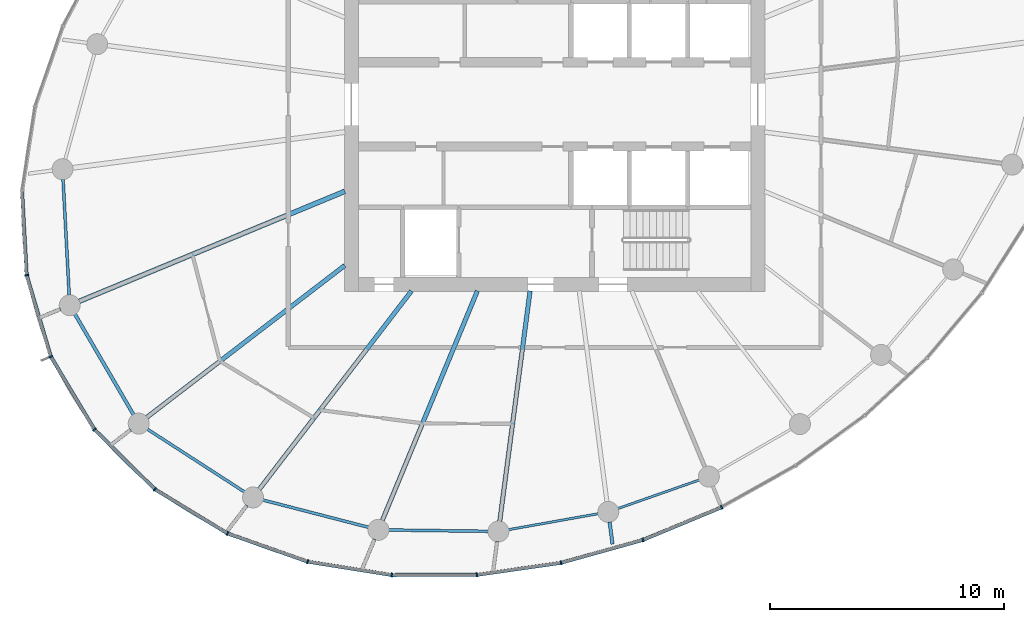
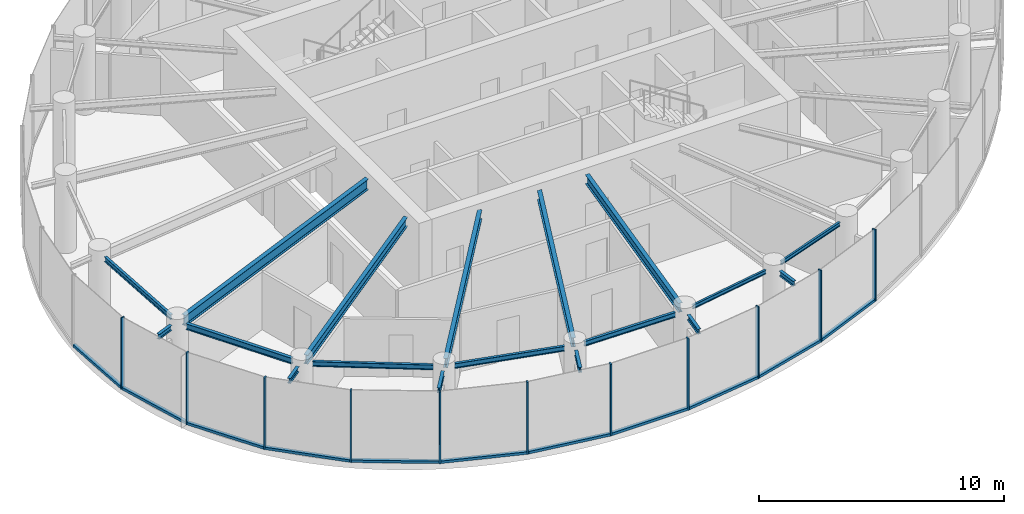
# One storey, part 2 of 14: 22 members, 18 beams, 3 elements without a shape of their own.
"""IFC4 building model written with IfcOpenShell, lengths in metres."""

from ifc_helpers import new_model, si_unit, direction, frame, origin, origin_2d, place, context, subcontext, project, spatial, rectangle, i_section, extrude, source, transform, mapped, material, layer, layer_set, material_profile, profile_set, type_object, element, aggregate, save


model = new_model("IFC4")

# Units and contexts
model_context = context("Model", 3, precision=1e-05, world=origin(), true_north=direction((0.0, 1.0)))
body_context = subcontext(model_context, "Body", "Model", "MODEL_VIEW")
ifc_project = project(units=[si_unit("LENGTHUNIT", "METRE"), si_unit("AREAUNIT", "SQUARE_METRE"), si_unit("VOLUMEUNIT", "CUBIC_METRE"), si_unit("PLANEANGLEUNIT", "RADIAN"), si_unit("MASSUNIT", "GRAM", prefix="KILO")], contexts=[model_context])

# Site, building, storey
site_placement = place(None, origin())
site = spatial("IfcSite", under=ifc_project, at=site_placement, CompositionType="ELEMENT")
building_placement = place(site_placement, origin())
building = spatial("IfcBuilding", under=site, at=building_placement, Name="Spindrift Exchange Tower", CompositionType="ELEMENT")
storey_placement = place(building_placement, frame((0.0, 0.0, 203.300048828125)))
storey = spatial("IfcBuildingStorey", under=building, at=storey_placement, Name="L49", CompositionType="ELEMENT", Elevation=203.300048828125)

# Beams
ifc_material_1 = material(Name="Steel Grade 300", Category="steel")
ifc_material_profile_1 = material_profile(ifc_material_1, i_section(OverallWidth=0.14599609375, OverallDepth=0.251953125, WebThickness=0.006103515625, FlangeThickness=0.008544921875, FilletRadius=0.011962890625, at=origin_2d()), Name="250UB31.4")
ifc_profile_set_1 = profile_set([ifc_material_profile_1], Name="Steel Grade 300")
beam_type_1 = type_object("IfcBeamType", Name="Cantilever Beam 250UB31.4 Steel Grade 300", PredefinedType="BEAM", material=ifc_profile_set_1)
shared_shape_1 = source(origin(), body_context, "Body", "SweptSolid", [
    extrude(i_section(OverallWidth=0.14599609375, OverallDepth=0.251953125, WebThickness=0.006103515625, FlangeThickness=0.008544921875, FilletRadius=0.011962890625, at=origin_2d()), origin(), (0.0, 0.0, 1.0), 0.95166015625),
])
beam_1_placement = place(storey_placement, frame((33.856689453125, 34.078125, 3.453857421875), z_axis=(-0.793300680677, -0.608830050209, 0.0), x_axis=(0.608830050209, -0.793300680677, 0.0)))
element("IfcBeam", 1, at=beam_1_placement, inside=storey, type_object=beam_type_1, Name="L49 cantilever beam R15T", PredefinedType="BEAM", context=body_context, shape_type="MappedRepresentation", body=[
    mapped(shared_shape_1, transform((0.0, 0.0, 0.0), scale=1.0)),
])
shared_shape_2 = source(origin(), body_context, "Body", "SweptSolid", [
    extrude(i_section(OverallWidth=0.14599609375, OverallDepth=0.251953125, WebThickness=0.006103515625, FlangeThickness=0.008544921875, FilletRadius=0.011962890625, at=origin_2d()), origin(), (0.0, 0.0, 1.0), 0.859619140625),
])
beam_2_placement = place(storey_placement, frame((30.849609375, 39.2392578125, 3.453857421875), z_axis=(-0.923923380362, -0.382577557131, 0.0), x_axis=(0.382577557131, -0.923923380362, 0.0)))
element("IfcBeam", 2, at=beam_2_placement, inside=storey, type_object=beam_type_1, Name="L49 cantilever beam R14T", PredefinedType="BEAM", context=body_context, shape_type="MappedRepresentation", body=[
    mapped(shared_shape_2, transform((0.0, 0.0, 0.0), scale=1.0)),
])
ifc_material_profile_2 = material_profile(ifc_material_1, i_section(OverallWidth=0.208984375, OverallDepth=0.528076171875, WebThickness=0.009521484375, FlangeThickness=0.01318359375, FilletRadius=0.013916015625, at=origin_2d()), Name="530UB82.0")
ifc_profile_set_2 = profile_set([ifc_material_profile_2], Name="Steel Grade 300")
beam_type_2 = type_object("IfcBeamType", Name="Floor Beam 530UB82.0 Steel Grade 300", PredefinedType="BEAM", material=ifc_profile_set_2)
shared_shape_3 = source(origin(), body_context, "Body", "SweptSolid", [
    extrude(i_section(OverallWidth=0.208984375, OverallDepth=0.528076171875, WebThickness=0.009521484375, FlangeThickness=0.01318359375, FilletRadius=0.013916015625, at=origin_2d()), origin(), (0.0, 0.0, 1.0), 12.3115234375),
])
beam_3_placement = place(storey_placement, frame((43.0185546875, 44.27978515625, 3.31591796875), z_axis=(-0.923878099838, -0.382686891126, 0.0), x_axis=(0.382686891126, -0.923878099838, 0.0)))
element("IfcBeam", 3, at=beam_3_placement, inside=storey, type_object=beam_type_2, Name="L49 radial beam R14A", PredefinedType="BEAM", context=body_context, shape_type="MappedRepresentation", body=[
    mapped(shared_shape_3, transform((0.0, 0.0, 0.0), scale=1.0)),
])
ifc_material_profile_3 = material_profile(ifc_material_1, i_section(OverallWidth=0.18994140625, OverallDepth=0.4541015625, WebThickness=0.008544921875, FlangeThickness=0.0126953125, FilletRadius=0.013916015625, at=origin_2d()), Name="460UB67.1")
ifc_profile_set_3 = profile_set([ifc_material_profile_3], Name="Steel Grade 300")
beam_type_3 = type_object("IfcBeamType", Name="Floor Beam 460UB67.1 Steel Grade 300", PredefinedType="BEAM", material=ifc_profile_set_3)
shared_shape_4 = source(origin(), body_context, "Body", "SweptSolid", [
    extrude(i_section(OverallWidth=0.18994140625, OverallDepth=0.4541015625, WebThickness=0.008544921875, FlangeThickness=0.0126953125, FilletRadius=0.013916015625, at=origin_2d()), origin(), (0.0, 0.0, 1.0), 10.684814453125),
])
beam_4_placement = place(storey_placement, frame((43.015869140625, 41.106201171875, 3.35302734375), z_axis=(-0.793357316898, -0.608756246559, 0.0), x_axis=(0.608756246559, -0.793357316898, 0.0)))
element("IfcBeam", 4, at=beam_4_placement, inside=storey, type_object=beam_type_3, Name="L49 radial beam R15A", PredefinedType="BEAM", context=body_context, shape_type="MappedRepresentation", body=[
    mapped(shared_shape_4, transform((0.0, 0.0, 0.0), scale=1.0)),
])
shared_shape_5 = source(origin(), body_context, "Body", "SweptSolid", [
    extrude(i_section(OverallWidth=0.18994140625, OverallDepth=0.4541015625, WebThickness=0.008544921875, FlangeThickness=0.0126953125, FilletRadius=0.013916015625, at=origin_2d()), origin(), (0.0, 0.0, 1.0), 10.711181640625),
])
beam_5_placement = place(storey_placement, frame((45.87353515625, 40.015869140625, 3.35302734375), z_axis=(-0.608756401092, -0.793357198322, 0.0), x_axis=(0.793357198322, -0.608756401092, 0.0)))
element("IfcBeam", 5, at=beam_5_placement, inside=storey, type_object=beam_type_3, Name="L49 radial beam R16A", PredefinedType="BEAM", context=body_context, shape_type="MappedRepresentation", body=[
    mapped(shared_shape_5, transform((0.0, 0.0, 0.0), scale=1.0)),
])
shared_shape_6 = source(origin(), body_context, "Body", "SweptSolid", [
    extrude(i_section(OverallWidth=0.18994140625, OverallDepth=0.4541015625, WebThickness=0.008544921875, FlangeThickness=0.0126953125, FilletRadius=0.013916015625, at=origin_2d()), origin(), (0.0, 0.0, 1.0), 10.64111328125),
])
beam_6_placement = place(storey_placement, frame((48.69384765625, 40.0185546875, 3.35302734375), z_axis=(-0.382672627597, -0.923884007919, 0.0), x_axis=(0.923884007919, -0.382672627597, 0.0)))
element("IfcBeam", 6, at=beam_6_placement, inside=storey, type_object=beam_type_3, Name="L49 radial beam R17A", PredefinedType="BEAM", context=body_context, shape_type="MappedRepresentation", body=[
    mapped(shared_shape_6, transform((0.0, 0.0, 0.0), scale=1.0)),
])
shared_shape_7 = source(origin(), body_context, "Body", "SweptSolid", [
    extrude(i_section(OverallWidth=0.18994140625, OverallDepth=0.4541015625, WebThickness=0.008544921875, FlangeThickness=0.0126953125, FilletRadius=0.013916015625, at=origin_2d()), origin(), (0.0, 0.0, 1.0), 9.95703125),
])
beam_7_placement = place(storey_placement, frame((50.949462890625, 40.019775390625, 3.35302734375), z_axis=(-0.130541406635, -0.991442858239, 0.0), x_axis=(0.991442858239, -0.130541406635, 0.0)))
element("IfcBeam", 7, at=beam_7_placement, inside=storey, type_object=beam_type_3, Name="L49 radial beam R18A", PredefinedType="BEAM", context=body_context, shape_type="MappedRepresentation", body=[
    mapped(shared_shape_7, transform((0.0, 0.0, 0.0), scale=1.0)),
])
ifc_material_profile_4 = material_profile(ifc_material_1, i_section(OverallWidth=0.1240234375, OverallDepth=0.248046875, WebThickness=0.0048828125, FlangeThickness=0.008056640625, FilletRadius=0.011962890625, at=origin_2d()), Name="250UB25.7")
ifc_profile_set_4 = profile_set([ifc_material_profile_4], Name="Steel Grade 300")
beam_type_4 = type_object("IfcBeamType", Name="Edge Beam 250UB25.7 Steel Grade 300", PredefinedType="SPANDREL", material=ifc_profile_set_4)
shared_shape_8 = source(origin(), body_context, "Body", "SweptSolid", [
    extrude(i_section(OverallWidth=0.1240234375, OverallDepth=0.248046875, WebThickness=0.0048828125, FlangeThickness=0.008056640625, FilletRadius=0.011962890625, at=origin_2d()), origin(), (0.0, 0.0, 1.0), 4.971435546875),
])
beam_8_placement = place(storey_placement, frame((30.96044921875, 44.797607421875, 3.4560546875), z_axis=(0.053038255124, -0.998592481192, 0.0), x_axis=(0.998592481192, 0.053038255124, 0.0)))
element("IfcBeam", 8, at=beam_8_placement, inside=storey, type_object=beam_type_4, Name="L49 edge beam E13", PredefinedType="SPANDREL", context=body_context, shape_type="MappedRepresentation", body=[
    mapped(shared_shape_8, transform((0.0, 0.0, 0.0), scale=1.0)),
])
ifc_material_profile_5 = material_profile(ifc_material_1, i_section(OverallWidth=0.14892578125, OverallDepth=0.298095703125, WebThickness=0.005615234375, FlangeThickness=0.008056640625, FilletRadius=0.012939453125, at=origin_2d()), Name="310UB32.0")
ifc_profile_set_5 = profile_set([ifc_material_profile_5], Name="Steel Grade 300")
beam_type_5 = type_object("IfcBeamType", Name="Edge Beam 310UB32.0 Steel Grade 300", PredefinedType="SPANDREL", material=ifc_profile_set_5)
shared_shape_9 = source(origin(), body_context, "Body", "SweptSolid", [
    extrude(i_section(OverallWidth=0.14892578125, OverallDepth=0.298095703125, WebThickness=0.005615234375, FlangeThickness=0.008056640625, FilletRadius=0.012939453125, at=origin_2d()), origin(), (0.0, 0.0, 1.0), 5.0009765625),
])
beam_9_placement = place(storey_placement, frame((31.46337890625, 39.0322265625, 3.430908203125), z_axis=(0.503512812094, -0.863987759205, 0.0), x_axis=(0.863987759205, 0.503512812094, 0.0)))
element("IfcBeam", 9, at=beam_9_placement, inside=storey, type_object=beam_type_5, Name="L49 edge beam E14", PredefinedType="SPANDREL", context=body_context, shape_type="MappedRepresentation", body=[
    mapped(shared_shape_9, transform((0.0, 0.0, 0.0), scale=1.0)),
])
shared_shape_10 = source(origin(), body_context, "Body", "SweptSolid", [
    extrude(i_section(OverallWidth=0.1240234375, OverallDepth=0.248046875, WebThickness=0.0048828125, FlangeThickness=0.008056640625, FilletRadius=0.011962890625, at=origin_2d()), origin(), (0.0, 0.0, 1.0), 4.966552734375),
])
beam_10_placement = place(storey_placement, frame((34.55908203125, 34.106689453125, 3.4560546875), z_axis=(0.839802198579, -0.54289250065, 0.0), x_axis=(0.54289250065, 0.839802198579, 0.0)))
element("IfcBeam", 10, at=beam_10_placement, inside=storey, type_object=beam_type_4, Name="L49 edge beam E15", PredefinedType="SPANDREL", context=body_context, shape_type="MappedRepresentation", body=[
    mapped(shared_shape_10, transform((0.0, 0.0, 0.0), scale=1.0)),
])
shared_shape_11 = source(origin(), body_context, "Body", "SweptSolid", [
    extrude(i_section(OverallWidth=0.1240234375, OverallDepth=0.248046875, WebThickness=0.0048828125, FlangeThickness=0.008056640625, FilletRadius=0.011962890625, at=origin_2d()), origin(), (0.0, 0.0, 1.0), 4.682373046875),
])
beam_11_placement = place(storey_placement, frame((39.507568359375, 31.0693359375, 3.4560546875), z_axis=(0.968201586176, -0.250171318352, 0.0), x_axis=(0.250171318352, 0.968201586176, 0.0)))
element("IfcBeam", 11, at=beam_11_placement, inside=storey, type_object=beam_type_4, Name="L49 edge beam E16", PredefinedType="SPANDREL", context=body_context, shape_type="MappedRepresentation", body=[
    mapped(shared_shape_11, transform((0.0, 0.0, 0.0), scale=1.0)),
])
shared_shape_12 = source(origin(), body_context, "Body", "SweptSolid", [
    extrude(i_section(OverallWidth=0.1240234375, OverallDepth=0.248046875, WebThickness=0.0048828125, FlangeThickness=0.008056640625, FilletRadius=0.011962890625, at=origin_2d()), origin(), (0.0, 0.0, 1.0), 4.27685546875),
])
beam_12_placement = place(storey_placement, frame((44.88720703125, 29.78466796875, 3.4560546875), z_axis=(0.999910013527, -0.013415097807, 0.0), x_axis=(0.013415097807, 0.999910013527, 0.0)))
element("IfcBeam", 12, at=beam_12_placement, inside=storey, type_object=beam_type_4, Name="L49 edge beam E17", PredefinedType="SPANDREL", context=body_context, shape_type="MappedRepresentation", body=[
    mapped(shared_shape_12, transform((0.0, 0.0, 0.0), scale=1.0)),
])
ifc_material_profile_6 = material_profile(ifc_material_1, i_section(OverallWidth=0.09912109375, OverallDepth=0.197998046875, WebThickness=0.00439453125, FlangeThickness=0.007080078125, FilletRadius=0.010986328125, at=origin_2d()), Name="200UB18.2")
ifc_profile_set_6 = profile_set([ifc_material_profile_6], Name="Steel Grade 300")
beam_type_6 = type_object("IfcBeamType", Name="Edge Beam 200UB18.2 Steel Grade 300", PredefinedType="SPANDREL", material=ifc_profile_set_6)
shared_shape_13 = source(origin(), body_context, "Body", "SweptSolid", [
    extrude(i_section(OverallWidth=0.09912109375, OverallDepth=0.197998046875, WebThickness=0.00439453125, FlangeThickness=0.007080078125, FilletRadius=0.010986328125, at=origin_2d()), origin(), (0.0, 0.0, 1.0), 3.916259765625),
])
beam_13_placement = place(storey_placement, frame((50.01708984375, 29.796875, 3.48095703125), z_axis=(0.984558687682, 0.175054821441, 0.0), x_axis=(-0.175054821441, 0.984558687682, 0.0)))
element("IfcBeam", 13, at=beam_13_placement, inside=storey, type_object=beam_type_6, Name="L49 edge beam E18", PredefinedType="SPANDREL", context=body_context, shape_type="MappedRepresentation", body=[
    mapped(shared_shape_13, transform((0.0, 0.0, 0.0), scale=1.0)),
])
shared_shape_14 = source(origin(), body_context, "Body", "SweptSolid", [
    extrude(i_section(OverallWidth=0.09912109375, OverallDepth=0.197998046875, WebThickness=0.00439453125, FlangeThickness=0.007080078125, FilletRadius=0.010986328125, at=origin_2d()), origin(), (0.0, 0.0, 1.0), 3.700439453125),
])
beam_14_placement = place(storey_placement, frame((54.701904296875, 30.699951171875, 3.48095703125), z_axis=(0.943515334916, 0.331328858957, 0.0), x_axis=(-0.331328858957, 0.943515334916, 0.0)))
element("IfcBeam", 14, at=beam_14_placement, inside=storey, type_object=beam_type_6, Name="L49 edge beam E19", PredefinedType="SPANDREL", context=body_context, shape_type="MappedRepresentation", body=[
    mapped(shared_shape_14, transform((0.0, 0.0, 0.0), scale=1.0)),
])
shared_shape_15 = source(origin(), body_context, "Body", "SweptSolid", [
    extrude(i_section(OverallWidth=0.14599609375, OverallDepth=0.251953125, WebThickness=0.006103515625, FlangeThickness=0.008544921875, FilletRadius=0.011962890625, at=origin_2d()), origin(), (0.0, 0.0, 1.0), 1.241455078125),
])
beam_15_placement = place(storey_placement, frame((38.829345703125, 30.835693359375, 3.453857421875), z_axis=(-0.608712274702, -0.793391055298, 0.0), x_axis=(0.793391055298, -0.608712274702, 0.0)))
element("IfcBeam", 15, at=beam_15_placement, inside=storey, type_object=beam_type_1, Name="L49 cantilever beam R16T", PredefinedType="BEAM", context=body_context, shape_type="MappedRepresentation", body=[
    mapped(shared_shape_15, transform((0.0, 0.0, 0.0), scale=1.0)),
])
shared_shape_16 = source(origin(), body_context, "Body", "SweptSolid", [
    extrude(i_section(OverallWidth=0.14599609375, OverallDepth=0.251953125, WebThickness=0.006103515625, FlangeThickness=0.008544921875, FilletRadius=0.011962890625, at=origin_2d()), origin(), (0.0, 0.0, 1.0), 1.282958984375),
])
beam_16_placement = place(storey_placement, frame((44.292724609375, 29.39306640625, 3.453857421875), z_axis=(-0.382682320503, -0.923879993059, 0.0), x_axis=(0.923879993059, -0.382682320503, 0.0)))
element("IfcBeam", 16, at=beam_16_placement, inside=storey, type_object=beam_type_1, Name="L49 cantilever beam R17T", PredefinedType="BEAM", context=body_context, shape_type="MappedRepresentation", body=[
    mapped(shared_shape_16, transform((0.0, 0.0, 0.0), scale=1.0)),
])
shared_shape_17 = source(origin(), body_context, "Body", "SweptSolid", [
    extrude(i_section(OverallWidth=0.14599609375, OverallDepth=0.251953125, WebThickness=0.006103515625, FlangeThickness=0.008544921875, FilletRadius=0.011962890625, at=origin_2d()), origin(), (0.0, 0.0, 1.0), 1.15380859375),
])
beam_17_placement = place(storey_placement, frame((49.53759765625, 29.29541015625, 3.453857421875), z_axis=(-0.130542080409, -0.991442769525, 0.0), x_axis=(0.991442769525, -0.130542080409, 0.0)))
element("IfcBeam", 17, at=beam_17_placement, inside=storey, type_object=beam_type_1, Name="L49 cantilever beam R18T", PredefinedType="BEAM", context=body_context, shape_type="MappedRepresentation", body=[
    mapped(shared_shape_17, transform((0.0, 0.0, 0.0), scale=1.0)),
])
shared_shape_18 = source(origin(), body_context, "Body", "SweptSolid", [
    extrude(i_section(OverallWidth=0.14599609375, OverallDepth=0.251953125, WebThickness=0.006103515625, FlangeThickness=0.008544921875, FilletRadius=0.011962890625, at=origin_2d()), origin(), (0.0, 0.0, 1.0), 0.9619140625),
])
beam_18_placement = place(storey_placement, frame((54.3525390625, 30.131103515625, 3.453857421875), z_axis=(0.130467644579, -0.991452567558, 0.0), x_axis=(0.991452567558, 0.130467644579, 0.0)))
element("IfcBeam", 18, at=beam_18_placement, inside=storey, type_object=beam_type_1, Name="L49 cantilever beam R19T", PredefinedType="BEAM", context=body_context, shape_type="MappedRepresentation", body=[
    mapped(shared_shape_18, transform((0.0, 0.0, 0.0), scale=1.0)),
])

# Curtain wall, member
ifc_material_2 = material(Name="Fritted laminated glass with bronze frame", Category="glass")
ifc_layer = layer(ifc_material_2, 0.169921875)
ifc_layer_set = layer_set([ifc_layer], Name="ZONE 4 BRONZE FRITTED WALL")
curtain_wall_type = type_object("IfcCurtainWallType", Name="ZONE 4 BRONZE FRITTED WALL", PredefinedType="NOTDEFINED", material=ifc_layer_set)
curtain_wall_1_placement = place(storey_placement, origin())
curtain_wall_1 = element("IfcCurtainWall", 19, at=curtain_wall_1_placement, inside=storey, type_object=curtain_wall_type, Name="L49 Zone 4 Bronze Fritted Wall run 3", PredefinedType="NOTDEFINED")
ifc_material_3 = material(Name="Bronze anodised aluminium", Category="aluminium")
ifc_material_profile_7 = material_profile(ifc_material_3, rectangle(XDim=0.06494140625, YDim=0.169921875, at=origin_2d()), Name="ZONE 4 BRONZE FRITTED WALL MULLION 65X170")
ifc_profile_set_7 = profile_set([ifc_material_profile_7], Name="Bronze anodised aluminium")
member_type_1 = type_object("IfcMemberType", Name="ZONE 4 BRONZE FRITTED WALL MULLION 65X170", PredefinedType="MULLION", material=ifc_profile_set_7)
shared_shape_19 = source(origin(), body_context, "Body", "SweptSolid", [
    extrude(rectangle(XDim=0.06494140625, YDim=0.169921875, at=origin_2d()), origin(), (0.0, 0.0, 1.0), 3.579833984375),
])
member_1_placement = place(storey_placement, frame((29.403564453125, 40.688232421875, 0.0), z_axis=(0.0, 0.0, 1.0), x_axis=(0.170995978216, -0.9852717267, 0.0)))
member_1 = element("IfcMember", 20, at=member_1_placement, type_object=member_type_1, Name="L49 mullion CW-4.18", PredefinedType="MULLION", context=body_context, shape_type="MappedRepresentation", body=[
    mapped(shared_shape_19, transform((0.0, 0.0, 0.0), scale=1.0)),
])

# Curtain wall, members
curtain_wall_2_placement = place(storey_placement, origin())
curtain_wall_2 = element("IfcCurtainWall", 21, at=curtain_wall_2_placement, inside=storey, type_object=curtain_wall_type, Name="L49 Zone 4 Bronze Fritted Wall run 4", PredefinedType="NOTDEFINED")
member_2_placement = place(storey_placement, frame((30.43896484375, 37.202880859375, 0.0), z_axis=(0.0, 0.0, 1.0), x_axis=(0.402495495669, -0.915421966071, 0.0)))
member_2 = element("IfcMember", 22, at=member_2_placement, type_object=member_type_1, Name="L49 mullion CW-4.19", PredefinedType="MULLION", context=body_context, shape_type="MappedRepresentation", body=[
    mapped(shared_shape_19, transform((0.0, 0.0, 0.0), scale=1.0)),
])
member_3_placement = place(storey_placement, frame((32.306884765625, 34.084716796875, 0.0), z_axis=(0.0, 0.0, 1.0), x_axis=(0.617189843807, -0.786814270779, 0.0)))
member_3 = element("IfcMember", 23, at=member_3_placement, type_object=member_type_1, Name="L49 mullion CW-4.20", PredefinedType="MULLION", context=body_context, shape_type="MappedRepresentation", body=[
    mapped(shared_shape_19, transform((0.0, 0.0, 0.0), scale=1.0)),
])
member_4_placement = place(storey_placement, frame((34.891357421875, 31.527099609375, 0.0), z_axis=(0.0, 0.0, 1.0), x_axis=(0.788013364272, -0.615658133812, 0.0)))
member_4 = element("IfcMember", 24, at=member_4_placement, type_object=member_type_1, Name="L49 mullion CW-4.21", PredefinedType="MULLION", context=body_context, shape_type="MappedRepresentation", body=[
    mapped(shared_shape_19, transform((0.0, 0.0, 0.0), scale=1.0)),
])
member_5_placement = place(storey_placement, frame((37.99951171875, 29.637451171875, 0.0), z_axis=(0.0, 0.0, 1.0), x_axis=(0.903723613375, -0.428116375101, 0.0)))
member_5 = element("IfcMember", 25, at=member_5_placement, type_object=member_type_1, Name="L49 mullion CW-4.22", PredefinedType="MULLION", context=body_context, shape_type="MappedRepresentation", body=[
    mapped(shared_shape_19, transform((0.0, 0.0, 0.0), scale=1.0)),
])
member_6_placement = place(storey_placement, frame((41.431884765625, 28.428955078125, 0.0), z_axis=(0.0, 0.0, 1.0), x_axis=(0.969414434352, -0.245429530556, 0.0)))
member_6 = element("IfcMember", 26, at=member_6_placement, type_object=member_type_1, Name="L49 mullion CW-4.23", PredefinedType="MULLION", context=body_context, shape_type="MappedRepresentation", body=[
    mapped(shared_shape_19, transform((0.0, 0.0, 0.0), scale=1.0)),
])
member_7_placement = place(storey_placement, frame((45.027587890625, 27.8583984375, 0.0), z_axis=(0.0, 0.0, 1.0), x_axis=(0.996953690657, -0.077995760693, 0.0)))
member_7 = element("IfcMember", 27, at=member_7_placement, type_object=member_type_1, Name="L49 mullion CW-4.24", PredefinedType="MULLION", context=body_context, shape_type="MappedRepresentation", body=[
    mapped(shared_shape_19, transform((0.0, 0.0, 0.0), scale=1.0)),
])

curtain_wall_3_placement = place(storey_placement, origin())
curtain_wall_3 = element("IfcCurtainWall", 28, at=curtain_wall_3_placement, inside=storey, type_object=curtain_wall_type, Name="L49 Zone 4 Bronze Fritted Wall run 5", PredefinedType="NOTDEFINED")
member_8_placement = place(storey_placement, frame((48.6689453125, 27.86279296875, 0.0), z_axis=(0.0, 0.0, 1.0), x_axis=(0.997411261514, 0.071908103895, 0.0)))
member_8 = element("IfcMember", 29, at=member_8_placement, type_object=member_type_1, Name="L49 mullion CW-4.25", PredefinedType="MULLION", context=body_context, shape_type="MappedRepresentation", body=[
    mapped(shared_shape_19, transform((0.0, 0.0, 0.0), scale=1.0)),
])
member_9_placement = place(storey_placement, frame((52.274169921875, 28.380859375, 0.0), z_axis=(0.0, 0.0, 1.0), x_axis=(0.978579211718, 0.20587065452, 0.0)))
member_9 = element("IfcMember", 30, at=member_9_placement, type_object=member_type_1, Name="L49 mullion CW-4.26", PredefinedType="MULLION", context=body_context, shape_type="MappedRepresentation", body=[
    mapped(shared_shape_19, transform((0.0, 0.0, 0.0), scale=1.0)),
])
member_10_placement = place(storey_placement, frame((55.78271484375, 29.359375, 0.0), z_axis=(0.0, 0.0, 1.0), x_axis=(0.945161323071, 0.326603847758, 0.0)))
member_10 = element("IfcMember", 31, at=member_10_placement, type_object=member_type_1, Name="L49 mullion CW-4.27", PredefinedType="MULLION", context=body_context, shape_type="MappedRepresentation", body=[
    mapped(shared_shape_19, transform((0.0, 0.0, 0.0), scale=1.0)),
])
member_11_placement = place(storey_placement, frame((59.147216796875, 30.755859375, 0.0), z_axis=(0.0, 0.0, 1.0), x_axis=(0.89956190958, 0.436793281579, 0.0)))
member_11 = element("IfcMember", 32, at=member_11_placement, type_object=member_type_1, Name="L49 mullion CW-4.28", PredefinedType="MULLION", context=body_context, shape_type="MappedRepresentation", body=[
    mapped(shared_shape_19, transform((0.0, 0.0, 0.0), scale=1.0)),
])
ifc_material_profile_8 = material_profile(ifc_material_3, rectangle(XDim=0.14990234375, YDim=0.125, at=origin_2d()), Name="ZONE 4 BRONZE FRITTED WALL TRANSOM 150X125")
ifc_profile_set_8 = profile_set([ifc_material_profile_8], Name="Bronze anodised aluminium")
member_type_2 = type_object("IfcMemberType", Name="ZONE 4 BRONZE FRITTED WALL TRANSOM 150X125", PredefinedType="USERDEFINED", material=ifc_profile_set_8)
shared_shape_20 = source(origin(), body_context, "Body", "SweptSolid", [
    extrude(rectangle(XDim=0.14990234375, YDim=0.125, at=origin_2d()), origin(), (0.0, 0.0, 1.0), 3.57763671875),
])
member_12_placement = place(storey_placement, frame((52.305419921875, 28.3896484375, 0.0625), z_axis=(0.963250520047, 0.268604608353, 0.0), x_axis=(-0.268604608353, 0.963250520047, 0.0)))
member_12 = element("IfcMember", 33, at=member_12_placement, type_object=member_type_2, Name="L49 transom CW-4.26", ObjectType="TRANSOM", PredefinedType="USERDEFINED", context=body_context, shape_type="MappedRepresentation", body=[
    mapped(shared_shape_20, transform((0.0, 0.0, 0.0), scale=1.0)),
])
shared_shape_21 = source(origin(), body_context, "Body", "SweptSolid", [
    extrude(rectangle(XDim=0.14990234375, YDim=0.125, at=origin_2d()), origin(), (0.0, 0.0, 1.0), 3.577880859375),
])
member_13_placement = place(storey_placement, frame((55.812744140625, 29.371826171875, 0.0625), z_axis=(0.923598957507, 0.383360099244, 0.0), x_axis=(-0.383360099244, 0.923598957507, 0.0)))
member_13 = element("IfcMember", 34, at=member_13_placement, type_object=member_type_2, Name="L49 transom CW-4.27", ObjectType="TRANSOM", PredefinedType="USERDEFINED", context=body_context, shape_type="MappedRepresentation", body=[
    mapped(shared_shape_21, transform((0.0, 0.0, 0.0), scale=1.0)),
])
shared_shape_22 = source(origin(), body_context, "Body", "SweptSolid", [
    extrude(rectangle(XDim=0.14990234375, YDim=0.125, at=origin_2d()), origin(), (0.0, 0.0, 1.0), 3.5771484375),
])
member_14_placement = place(storey_placement, frame((48.701171875, 27.867431640625, 0.0625), z_axis=(0.989833135099, 0.14223348642, 0.0), x_axis=(-0.14223348642, 0.989833135099, 0.0)))
member_14 = element("IfcMember", 35, at=member_14_placement, type_object=member_type_2, Name="L49 transom CW-4.25", ObjectType="TRANSOM", PredefinedType="USERDEFINED", context=body_context, shape_type="MappedRepresentation", body=[
    mapped(shared_shape_22, transform((0.0, 0.0, 0.0), scale=1.0)),
])
aggregate(curtain_wall_3, [member_8, member_14, member_9, member_12, member_10, member_13, member_11])

# Member
shared_shape_23 = source(origin(), body_context, "Body", "SweptSolid", [
    extrude(rectangle(XDim=0.14990234375, YDim=0.125, at=origin_2d()), origin(), (0.0, 0.0, 1.0), 3.575439453125),
])
member_15_placement = place(storey_placement, frame((41.464111328125, 28.423828125, 0.0625), z_axis=(0.987634185942, -0.156776001861, 0.0), x_axis=(0.156776001861, 0.987634185942, 0.0)))
member_15 = element("IfcMember", 36, at=member_15_placement, type_object=member_type_2, Name="L49 transom CW-4.23", ObjectType="TRANSOM", PredefinedType="USERDEFINED", context=body_context, shape_type="MappedRepresentation", body=[
    mapped(shared_shape_23, transform((0.0, 0.0, 0.0), scale=1.0)),
])

shared_shape_24 = source(origin(), body_context, "Body", "SweptSolid", [
    extrude(rectangle(XDim=0.14990234375, YDim=0.125, at=origin_2d()), origin(), (0.0, 0.0, 1.0), 3.57080078125),
])
member_16_placement = place(storey_placement, frame((29.412841796875, 40.656982421875, 0.0625), z_axis=(0.28477500807, -0.958594384909, 0.0), x_axis=(0.958594384909, 0.28477500807, 0.0)))
member_16 = element("IfcMember", 37, at=member_16_placement, type_object=member_type_2, Name="L49 transom CW-4.18", ObjectType="TRANSOM", PredefinedType="USERDEFINED", context=body_context, shape_type="MappedRepresentation", body=[
    mapped(shared_shape_24, transform((0.0, 0.0, 0.0), scale=1.0)),
])

member_17_placement = place(storey_placement, frame((32.330078125, 34.061767578125, 0.0625), z_axis=(0.710789198596, -0.703405086106, 0.0), x_axis=(0.703405086106, 0.710789198596, 0.0)))
member_17 = element("IfcMember", 38, at=member_17_placement, type_object=member_type_2, Name="L49 transom CW-4.20", ObjectType="TRANSOM", PredefinedType="USERDEFINED", context=body_context, shape_type="MappedRepresentation", body=[
    mapped(shared_shape_24, transform((0.0, 0.0, 0.0), scale=1.0)),
])

shared_shape_25 = source(origin(), body_context, "Body", "SweptSolid", [
    extrude(rectangle(XDim=0.14990234375, YDim=0.125, at=origin_2d()), origin(), (0.0, 0.0, 1.0), 3.572509765625),
])
member_18_placement = place(storey_placement, frame((29.205810546875, 44.287841796875, 0.0625), z_axis=(0.054875780635, -0.99849318911, 0.0), x_axis=(0.99849318911, 0.054875780635, 0.0)))
member_18 = element("IfcMember", 39, at=member_18_placement, type_object=member_type_2, Name="L49 transom CW-4.17", ObjectType="TRANSOM", PredefinedType="USERDEFINED", context=body_context, shape_type="MappedRepresentation", body=[
    mapped(shared_shape_25, transform((0.0, 0.0, 0.0), scale=1.0)),
])

aggregate(curtain_wall_1, [member_18, member_1, member_16])

member_19_placement = place(storey_placement, frame((34.919189453125, 31.51025390625, 0.0625), z_axis=(0.854457105668, -0.519521948115, 0.0), x_axis=(0.519521948115, 0.854457105668, 0.0)))
member_19 = element("IfcMember", 40, at=member_19_placement, type_object=member_type_2, Name="L49 transom CW-4.21", ObjectType="TRANSOM", PredefinedType="USERDEFINED", context=body_context, shape_type="MappedRepresentation", body=[
    mapped(shared_shape_25, transform((0.0, 0.0, 0.0), scale=1.0)),
])

shared_shape_26 = source(origin(), body_context, "Body", "SweptSolid", [
    extrude(rectangle(XDim=0.14990234375, YDim=0.125, at=origin_2d()), origin(), (0.0, 0.0, 1.0), 3.57421875),
])
member_20_placement = place(storey_placement, frame((38.030029296875, 29.626708984375, 0.0625), z_axis=(0.943242270859, -0.332105432755, 0.0), x_axis=(0.332105432755, 0.943242270859, 0.0)))
member_20 = element("IfcMember", 41, at=member_20_placement, type_object=member_type_2, Name="L49 transom CW-4.22", ObjectType="TRANSOM", PredefinedType="USERDEFINED", context=body_context, shape_type="MappedRepresentation", body=[
    mapped(shared_shape_26, transform((0.0, 0.0, 0.0), scale=1.0)),
])

shared_shape_27 = source(origin(), body_context, "Body", "SweptSolid", [
    extrude(rectangle(XDim=0.14990234375, YDim=0.125, at=origin_2d()), origin(), (0.0, 0.0, 1.0), 3.576416015625),
])
member_21_placement = place(storey_placement, frame((45.06005859375, 27.8583984375, 0.0625), z_axis=(0.999999245084, 0.001228751888, 0.0), x_axis=(-0.001228751888, 0.999999245084, 0.0)))
member_21 = element("IfcMember", 42, at=member_21_placement, type_object=member_type_2, Name="L49 transom CW-4.24", ObjectType="TRANSOM", PredefinedType="USERDEFINED", context=body_context, shape_type="MappedRepresentation", body=[
    mapped(shared_shape_27, transform((0.0, 0.0, 0.0), scale=1.0)),
])

shared_shape_28 = source(origin(), body_context, "Body", "SweptSolid", [
    extrude(rectangle(XDim=0.14990234375, YDim=0.125, at=origin_2d()), origin(), (0.0, 0.0, 1.0), 3.56982421875),
])
member_22_placement = place(storey_placement, frame((30.455810546875, 37.175048828125, 0.0625), z_axis=(0.513872076119, -0.857866824971, 0.0), x_axis=(0.857866824971, 0.513872076119, 0.0)))
member_22 = element("IfcMember", 43, at=member_22_placement, type_object=member_type_2, Name="L49 transom CW-4.19", ObjectType="TRANSOM", PredefinedType="USERDEFINED", context=body_context, shape_type="MappedRepresentation", body=[
    mapped(shared_shape_28, transform((0.0, 0.0, 0.0), scale=1.0)),
])

aggregate(curtain_wall_2, [member_2, member_22, member_3, member_17, member_4, member_19, member_5, member_20, member_6, member_15, member_7, member_21])

save(model, "model.ifc")
